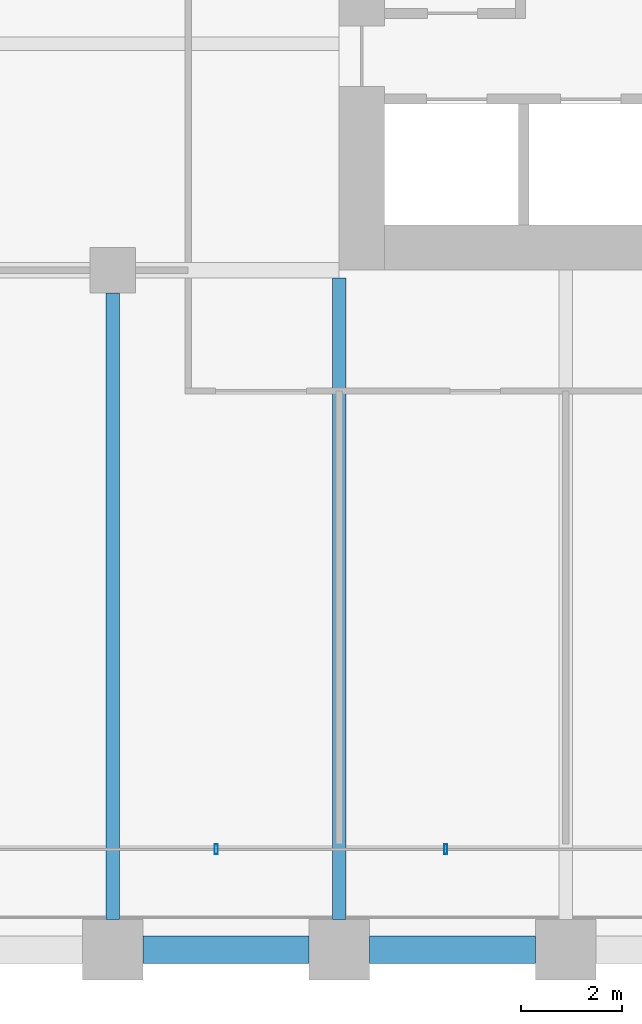
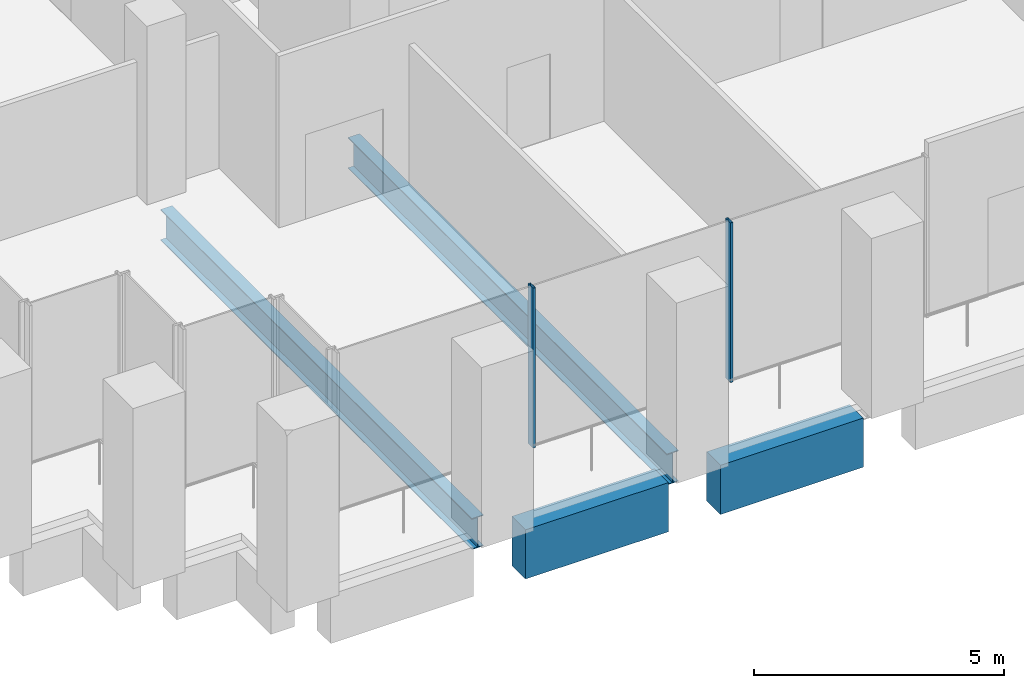
# One storey, part 3 of 36: 4 beams, 2 members, 1 element without a shape of its own.
"""IFC4 building model written with IfcOpenShell, lengths in metres."""

from ifc_helpers import new_model, si_unit, direction, frame, origin, origin_2d, place, context, subcontext, project, spatial, rectangle, hollow_rectangle, i_section, extrude, material, material_profile, profile_set, type_object, element, aggregate, save


model = new_model("IFC4")

# Units and contexts
model_context = context("Model", 3, precision=1e-05, world=origin(), true_north=direction((0.0, 1.0)))
body_context = subcontext(model_context, "Body", "Model", "MODEL_VIEW")
ifc_project = project(units=[si_unit("LENGTHUNIT", "METRE"), si_unit("AREAUNIT", "SQUARE_METRE"), si_unit("VOLUMEUNIT", "CUBIC_METRE"), si_unit("PLANEANGLEUNIT", "RADIAN"), si_unit("MASSUNIT", "GRAM", prefix="KILO")], contexts=[model_context])

# Site, building, storey
site_placement = place(None, origin())
site = spatial("IfcSite", under=ifc_project, at=site_placement, CompositionType="ELEMENT")
building_placement = place(site_placement, origin())
building = spatial("IfcBuilding", under=site, at=building_placement, Name="Altepetl Exchange Towers", CompositionType="ELEMENT")
storey_placement = place(building_placement, frame((0.0, 0.0, 29.800048828125)))
storey = spatial("IfcBuildingStorey", under=building, at=storey_placement, Name="L06", CompositionType="ELEMENT", Elevation=29.800048828125)

# Beams
ifc_material_1 = material(Name="Steel S355", Category="steel")
ifc_material_profile_1 = material_profile(ifc_material_1, i_section(OverallWidth=0.26611328125, OverallDepth=0.758056640625, WebThickness=0.013916015625, FlangeThickness=0.019287109375, at=origin_2d()), Name="W30X108")
ifc_profile_set_1 = profile_set([ifc_material_profile_1], Name="Steel S355")
beam_type_1 = type_object("IfcBeamType", Name="Floor beam W30X108", PredefinedType="BEAM", material=ifc_profile_set_1)
beam_1_placement = place(storey_placement, frame((36.0, 27.60009765625, -0.553955078125), z_axis=(0.0, 1.0, 0.0), x_axis=(-1.0, 0.0, 0.0)))
element("IfcBeam", 1, at=beam_1_placement, inside=storey, type_object=beam_type_1, Name="bm:A:L06:013", PredefinedType="BEAM", context=body_context, shape_type="SweptSolid", body=[
    extrude(i_section(OverallWidth=0.26611328125, OverallDepth=0.758056640625, WebThickness=0.013916015625, FlangeThickness=0.019287109375, at=origin_2d()), origin(), (0.0, 0.0, 1.0), 12.449951171875),
])
beam_2_placement = place(storey_placement, frame((40.5, 27.60009765625, -0.553955078125), z_axis=(0.0, 1.0, 0.0), x_axis=(-1.0, 0.0, 0.0)))
element("IfcBeam", 2, at=beam_2_placement, inside=storey, type_object=beam_type_1, Name="bm:A:L06:014", PredefinedType="BEAM", context=body_context, shape_type="SweptSolid", body=[
    extrude(i_section(OverallWidth=0.26611328125, OverallDepth=0.758056640625, WebThickness=0.013916015625, FlangeThickness=0.019287109375, at=origin_2d()), origin(), (0.0, 0.0, 1.0), 12.745849609375),
])

# Curtain wall, members
ifc_material_2 = material(Name="Aluminium 6063-T6 glazing", Category="aluminium")
curtain_wall_type = type_object("IfcCurtainWallType", Name="Trading floor glazing system", PredefinedType="NOTDEFINED", material=ifc_material_2)
curtain_wall_placement = place(storey_placement, origin())
curtain_wall = element("IfcCurtainWall", 3, at=curtain_wall_placement, inside=storey, type_object=curtain_wall_type, Name="CW2 run", PredefinedType="NOTDEFINED")
ifc_material_3 = material(Name="Aluminium 6063-T6", Category="aluminium")
ifc_material_profile_2 = material_profile(ifc_material_3, hollow_rectangle(XDim=0.06005859375, YDim=0.199951171875, WallThickness=0.0029296875, at=origin_2d()), Name="Mullion 60x200 aluminium")
ifc_profile_set_2 = profile_set([ifc_material_profile_2], Name="Aluminium 6063-T6")
member_type = type_object("IfcMemberType", Name="Mullion 60x200 aluminium", PredefinedType="MULLION", material=ifc_profile_set_2)
member_1_placement = place(storey_placement, frame((38.05712890625, 29.0, 0.0)))
member_1 = element("IfcMember", 4, at=member_1_placement, type_object=member_type, Name="MU2 mullion", PredefinedType="MULLION", context=body_context, shape_type="SweptSolid", body=[
    extrude(hollow_rectangle(XDim=0.06005859375, YDim=0.199951171875, WallThickness=0.0029296875, at=origin_2d()), origin(), (0.0, 0.0, 1.0), 3.89990234375),
])
member_2_placement = place(storey_placement, frame((42.6142578125, 29.0, 0.0)))
member_2 = element("IfcMember", 5, at=member_2_placement, type_object=member_type, Name="MU2 mullion", PredefinedType="MULLION", context=body_context, shape_type="SweptSolid", body=[
    extrude(hollow_rectangle(XDim=0.06005859375, YDim=0.199951171875, WallThickness=0.0029296875, at=origin_2d()), origin(), (0.0, 0.0, 1.0), 3.89990234375),
])
aggregate(curtain_wall, [member_1, member_2])

# Beams
ifc_material_4 = material(Name="Concrete C50/60 precast with cantera blanca facing", Category="concrete")
ifc_material_profile_3 = material_profile(ifc_material_4, rectangle(XDim=0.550048828125, YDim=1.199951171875, at=origin_2d()), Name="550 x 1200")
ifc_profile_set_3 = profile_set([ifc_material_profile_3], Name="Concrete C50/60 precast with cantera blanca facing")
beam_type_2 = type_object("IfcBeamType", Name="Spandrel beam 550x1200 cantera blanca", PredefinedType="SPANDREL", material=ifc_profile_set_3)
for number, where, z_axis, x_axis, name in (
    (6, (36.60009765625, 27.0, -0.775146484375), (1.0, 0.0, 0.0), (0.0, 1.0, 0.0), "sp:A:L06:001"),
    (7, (41.10009765625, 27.0, -0.775146484375), (1.0, 0.0, 0.0), (0.0, 1.0, 0.0), "sp:A:L06:002"),
):
    element("IfcBeam", number, at=place(storey_placement, frame(where, z_axis=z_axis, x_axis=x_axis)), inside=storey, type_object=beam_type_2, Name=name, PredefinedType="SPANDREL", context=body_context, shape_type="SweptSolid", body=[
        extrude(rectangle(XDim=0.550048828125, YDim=1.199951171875, at=origin_2d()), origin(), (0.0, 0.0, 1.0), 3.2998046875),
    ])

save(model, "model.ifc")
